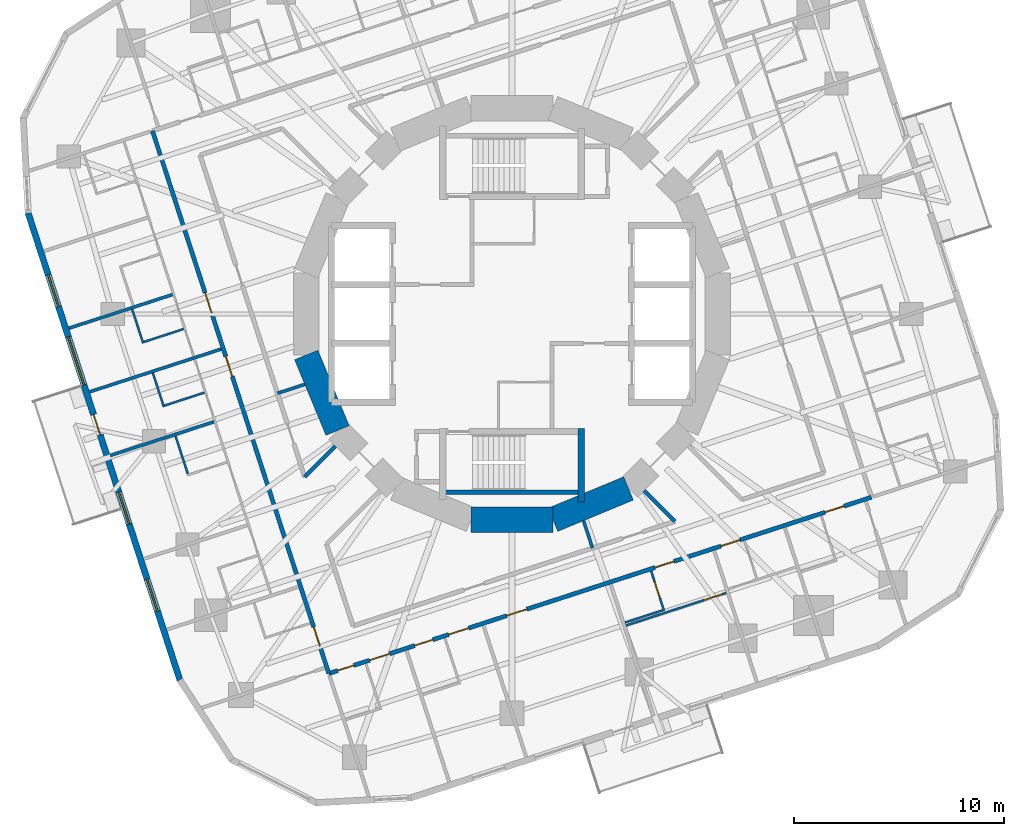
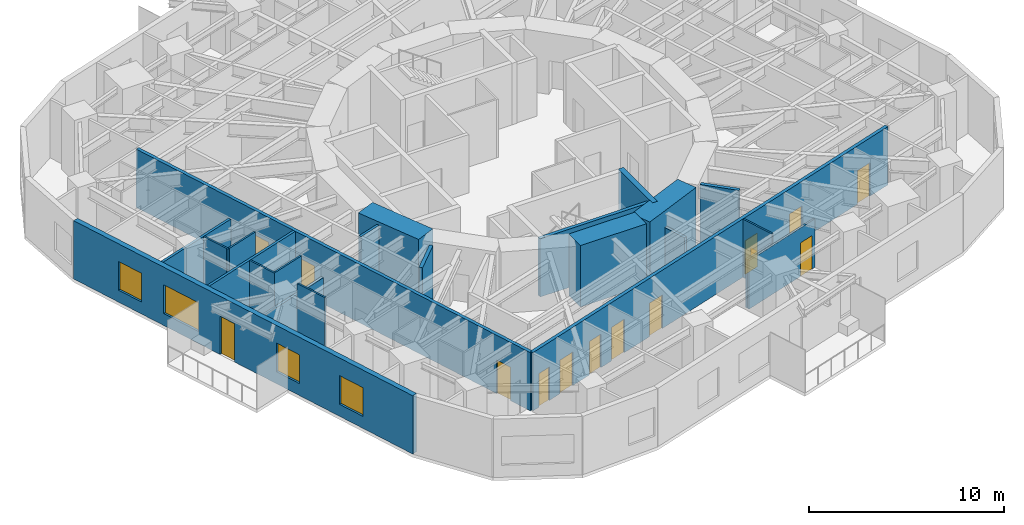
# One storey, part 5 of 13: 23 walls, 14 doors, 4 windows, 18 openings.
"""IFC4 building model written with IfcOpenShell, lengths in metres."""

import ifcopenshell
import ifcopenshell.guid

model = None  # the IFC model being written
_history = None  # IfcOwnerHistory: only IFC2X3 demands one
_inside = {}  # id of a spatial element -> (the spatial element, [elements in it])
_under = {}  # id of a project, library or spatial element -> (it, [spatial elements below it])
_declared = {}  # id of a project -> (the project, [libraries it declares])
_typed = {}  # id of a type object -> (the type object, [elements of that type])
_made_of = {}  # id of a material, layer set ... -> (it, [elements and type objects made of it])


def new_model(schema):
    """Start an empty IFC model of exactly this schema.

    Asked for "IFC4X3", IfcOpenShell would pick the latest addendum, in which some entities
    have other attributes; the version numbers below select the first issue.
    IFC2X3 requires an IfcOwnerHistory on every rooted entity: one is made here for all.
    """
    global model, _history
    if schema == "IFC4X3":
        model = ifcopenshell.file(schema_version=(4, 3, 0, 0))
    else:
        model = ifcopenshell.file(schema=schema)
    _inside.clear()
    _under.clear()
    _declared.clear()
    _typed.clear()
    _made_of.clear()
    _history = None
    if model.schema == "IFC2X3":
        org = make("IfcOrganization", Name="unknown")
        user = make(
            "IfcPersonAndOrganization",
            ThePerson=make("IfcPerson", FamilyName="unknown"),
            TheOrganization=org,
        )
        app = make(
            "IfcApplication",
            ApplicationDeveloper=org,
            Version="unknown",
            ApplicationFullName="unknown",
            ApplicationIdentifier="unknown",
        )
        _history = make(
            "IfcOwnerHistory",
            OwningUser=user,
            OwningApplication=app,
            ChangeAction="ADDED",
            CreationDate=0,
        )
    return model


def make(cls, **values):
    """One entity of the class cls with the attributes given. An attribute that is None is left unset."""
    return model.create_entity(
        cls, **{name: value for name, value in values.items() if value is not None}
    )


def rooted(cls, **values):
    """An entity with a GlobalId (a new one), such as an element, a storey or a relation."""
    return make(cls, GlobalId=ifcopenshell.guid.new(), OwnerHistory=_history, **values)


def si_unit(unit_type, name, prefix=None):
    """IfcSIUnit, for example si_unit("LENGTHUNIT", "METRE", prefix="MILLI")."""
    return make("IfcSIUnit", UnitType=unit_type, Prefix=prefix, Name=name)


def assignment(units):
    """IfcUnitAssignment: the units of a project."""
    return None if units is None else make("IfcUnitAssignment", Units=units)


def point(xyz):
    """IfcCartesianPoint."""
    return None if xyz is None else make("IfcCartesianPoint", Coordinates=xyz)


def direction(xyz):
    """IfcDirection."""
    return None if xyz is None else make("IfcDirection", DirectionRatios=xyz)


def frame(location, z_axis=None, x_axis=None):
    """IfcAxis2Placement3D, a coordinate frame: its origin and axes. An axis left out is left unset."""
    return make(
        "IfcAxis2Placement3D",
        Location=point(location),
        Axis=direction(z_axis),
        RefDirection=direction(x_axis),
    )


def frame_2d(location, x_axis=None):
    """IfcAxis2Placement2D, a coordinate frame in the plane: its origin and x axis."""
    return make(
        "IfcAxis2Placement2D", Location=point(location), RefDirection=direction(x_axis)
    )


def origin():
    """The frame at (0, 0, 0) with its axes left unset."""
    return frame((0.0, 0.0, 0.0))


def place(relative_to, where):
    """IfcLocalPlacement: puts the frame where relative to a parent placement (None: the world)."""
    return make(
        "IfcLocalPlacement", PlacementRelTo=relative_to, RelativePlacement=where
    )


def context(
    kind, dimensions, precision=None, world=None, true_north=None, identifier=None
):
    """IfcGeometricRepresentationContext, for example the 3D "Model" context."""
    return make(
        "IfcGeometricRepresentationContext",
        ContextIdentifier=identifier,
        ContextType=kind,
        CoordinateSpaceDimension=dimensions,
        Precision=precision,
        WorldCoordinateSystem=world,
        TrueNorth=true_north,
    )


def subcontext(parent, identifier, kind, view, scale=None):
    """IfcGeometricRepresentationSubContext, for example "Body" below "Model"."""
    return make(
        "IfcGeometricRepresentationSubContext",
        ContextIdentifier=identifier,
        ContextType=kind,
        ParentContext=parent,
        TargetScale=scale,
        TargetView=view,
    )


def project(units=None, contexts=None):
    """IfcProject with its units and contexts."""
    return rooted(
        "IfcProject",
        Name="project",
        RepresentationContexts=contexts,
        UnitsInContext=assignment(units),
    )


def spatial(cls, under=None, at=None, **own):
    """A site, building, storey or space (cls), placed at a placement, below another one or the project."""
    s = rooted(cls, ObjectPlacement=at, **own)
    if under is not None:
        _under.setdefault(under.id(), (under, []))[1].append(s)
    return s


def profile(cls, at=None, kind="AREA", **sizes):
    """A parametric profile (cls). Its sizes go by their IFC names, for example OverallWidth=200.0."""
    return make(cls, ProfileType=kind, Position=at, **sizes)


def rectangle(**sizes):
    """IfcRectangleProfileDef."""
    return profile("IfcRectangleProfileDef", **sizes)


def extrude(swept, where, along, depth):
    """IfcExtrudedAreaSolid: the profile swept, set in the frame where, extruded along a direction by depth."""
    return make(
        "IfcExtrudedAreaSolid",
        SweptArea=swept,
        Position=where,
        ExtrudedDirection=direction(along),
        Depth=depth,
    )


def shape(context_of_items, identifier, shape_type, items):
    """IfcShapeRepresentation: the items that make up one representation, for example the "Body"."""
    return make(
        "IfcShapeRepresentation",
        ContextOfItems=context_of_items,
        RepresentationIdentifier=identifier,
        RepresentationType=shape_type,
        Items=items,
    )


def material(Name=None, Category=None):
    """IfcMaterial."""
    return make("IfcMaterial", Name=Name, Category=Category)


def layer(
    of_material, thickness, ventilated=None, Name=None, Category=None, Priority=None
):
    """IfcMaterialLayer: one layer of a wall or slab, of a material (None: an air gap)."""
    return make(
        "IfcMaterialLayer",
        Material=of_material,
        LayerThickness=thickness,
        IsVentilated=ventilated,
        Name=Name,
        Category=Category,
        Priority=Priority,
    )


def layer_set(layers, Name=None):
    """IfcMaterialLayerSet."""
    return make("IfcMaterialLayerSet", MaterialLayers=layers, LayerSetName=Name)


def made_of(thing, what):
    """Note that an element or type object is made of a material, layer set ...; save() writes the relation."""
    if what is not None:
        _made_of.setdefault(what.id(), (what, []))[1].append(thing)
    return thing


def type_object(cls, material=None, **own):
    """A type object (cls), such as IfcWallType, which elements share."""
    return made_of(rooted(cls, **own), material)


def element(
    cls,
    number,
    at=None,
    inside=None,
    cuts=None,
    type_object=None,
    material=None,
    context=None,
    identifier="Body",
    shape_type=None,
    held_by="IfcProductDefinitionShape",
    body=None,
    shapes=None,
    **own,
):
    """One element of the class cls, such as IfcWall. Its Tag is "e" and its number.

    at: its placement. inside: the storey or other place that contains it. cuts: it is an
    opening in that element (IfcRelVoidsElement). A single representation is given by context,
    identifier, shape_type and body (its items); several are given by shapes. held_by: the class
    of the entity that holds the representations. save() writes the other relations.
    """
    e = rooted(cls, Tag="e%d" % number, ObjectPlacement=at, **own)
    if body is not None:
        shapes = [shape(context, identifier, shape_type, body)]
    if shapes is not None:
        e.Representation = make(held_by, Representations=shapes)
    if inside is not None:
        _inside.setdefault(inside.id(), (inside, []))[1].append(e)
    if cuts is not None:
        rooted(
            "IfcRelVoidsElement", RelatingBuildingElement=cuts, RelatedOpeningElement=e
        )
    if type_object is not None:
        _typed.setdefault(type_object.id(), (type_object, []))[1].append(e)
    return made_of(e, material)


def fill(opening, filler):
    """IfcRelFillsElement: the door or window that sits in an opening."""
    return rooted(
        "IfcRelFillsElement",
        RelatingOpeningElement=opening,
        RelatedBuildingElement=filler,
    )


def aggregate(whole, parts):
    """IfcRelAggregates: a whole, such as a stair, and the parts it consists of."""
    return rooted("IfcRelAggregates", RelatingObject=whole, RelatedObjects=parts)


def save(model, path):
    """Write the relations noted so far, then the file.

    IfcRelAggregates (storeys below a building ...), IfcRelContainedInSpatialStructure (elements
    in a storey), IfcRelDefinesByType, IfcRelAssociatesMaterial and IfcRelDeclares: one each for
    every whole, place, type object, material and project.
    """
    for whole, parts in _under.values():
        aggregate(whole, parts)
    for where, things in _inside.values():
        rooted(
            "IfcRelContainedInSpatialStructure",
            RelatedElements=things,
            RelatingStructure=where,
        )
    for kind, things in _typed.values():
        rooted("IfcRelDefinesByType", RelatedObjects=things, RelatingType=kind)
    for what, things in _made_of.values():
        rooted("IfcRelAssociatesMaterial", RelatedObjects=things, RelatingMaterial=what)
    for by, libraries in _declared.values():
        rooted("IfcRelDeclares", RelatingContext=by, RelatedDefinitions=libraries)
    model.write(path)


model = new_model("IFC4")

# Units and contexts
model_context = context("Model", 3, precision=1e-05, world=origin(), true_north=direction((0.0, 1.0)))
body_context = subcontext(model_context, "Body", "Model", "MODEL_VIEW")
ifc_project = project(units=[si_unit("LENGTHUNIT", "METRE"), si_unit("AREAUNIT", "SQUARE_METRE"), si_unit("VOLUMEUNIT", "CUBIC_METRE"), si_unit("PLANEANGLEUNIT", "RADIAN"), si_unit("MASSUNIT", "GRAM", prefix="KILO")], contexts=[model_context])

# Site, building, storey
site_placement = place(None, origin())
site = spatial("IfcSite", under=ifc_project, at=site_placement, CompositionType="ELEMENT")
building_placement = place(site_placement, origin())
building = spatial("IfcBuilding", under=site, at=building_placement, Name="Nakasero Lantern House", CompositionType="ELEMENT")
storey_placement = place(building_placement, frame((0.0, 0.0, 157.199951171875)))
storey = spatial("IfcBuildingStorey", under=building, at=storey_placement, Name="L38", CompositionType="ELEMENT", Elevation=157.199951171875)

# Walls
ifc_material_1 = material(Name="Concrete C50/60", Category="concrete")
ifc_layer_1 = layer(ifc_material_1, 0.300048828125)
ifc_layer_set_1 = layer_set([ifc_layer_1], Name="Core inner wall 300")
wall_type_1 = type_object("IfcWallType", Name="Core inner wall 300", PredefinedType="SHEAR", material=ifc_layer_set_1)
wall_1_placement = place(storey_placement, frame((3.300048828125, -5.449951171875, 0.0), z_axis=(0.0, 0.0, 1.0), x_axis=(0.0, -1.0, 0.0)))
element("IfcWall", 1, at=wall_1_placement, inside=storey, type_object=wall_type_1, Name="Core inner wall L38 SSE", PredefinedType="SHEAR", context=body_context, shape_type="SweptSolid", body=[
    extrude(rectangle(XDim=3.5, YDim=0.300048828125, at=frame_2d((1.75, 0.0))), origin(), (0.0, 0.0, 1.0), 3.85009765625),
])
ifc_material_2 = material(Name="Concrete C50/60", Category="concrete")
ifc_layer_2 = layer(ifc_material_2, 1.199951171875)
ifc_layer_set_2 = layer_set([ifc_layer_2], Name="Core wall 1200")
wall_type_2 = type_object("IfcWallType", Name="Core wall 1200", PredefinedType="SHEAR", material=ifc_layer_set_2)
for number, where, z_axis, x_axis, name in (
    (2, (-9.807861328125, -1.950927734375, 0.0), (0.0, 0.0, 1.0), (0.382690736062, -0.923876507187, 0.0), "Core wall L38 facet 9"),
    (3, (-1.950927734375, -9.807861328125, 0.0), (0.0, 0.0, 1.0), (1.0, 0.0, 0.0), "Core wall L38 facet 12"),
    (4, (1.950927734375, -9.807861328125, 0.0), (0.0, 0.0, 1.0), (0.923876507187, 0.382690736062, 0.0), "Core wall L38 facet 13"),
):
    element("IfcWall", number, at=place(storey_placement, frame(where, z_axis=z_axis, x_axis=x_axis)), inside=storey, type_object=wall_type_2, Name=name, PredefinedType="SHEAR", context=body_context, shape_type="SweptSolid", body=[
        extrude(rectangle(XDim=3.90185546875, YDim=1.199951171875, at=frame_2d((1.950927734375, 0.0))), origin(), (0.0, 0.0, 1.0), 3.85009765625),
    ])

# Wall, openings, doors
ifc_material_3 = material(Name="Blockwork", Category="masonry")
ifc_layer_3 = layer(ifc_material_3, 0.199951171875)
ifc_layer_set_3 = layer_set([ifc_layer_3], Name="Corridor wall 200")
wall_type_3 = type_object("IfcWallType", Name="Corridor wall 200", PredefinedType="PARTITIONING", material=ifc_layer_set_3)
wall_2_placement = place(storey_placement, frame((-17.136962890625, 8.731689453125, 0.0), z_axis=(0.0, 0.0, 1.0), x_axis=(0.309018283835, -0.951056097323, 0.0)))
wall_2 = element("IfcWall", 5, at=wall_2_placement, inside=storey, type_object=wall_type_3, Name="Corridor wall L38 CW2", PredefinedType="PARTITIONING", context=body_context, shape_type="SweptSolid", body=[
    extrude(rectangle(XDim=27.199951171875, YDim=0.199951171875, at=frame_2d((13.60009765625, 0.0))), origin(), (0.0, 0.0, 1.0), 3.650146484375),
])
opening_1_placement = place(wall_2_placement, frame((8.118896484375, 0.0, 0.0)))
opening_1 = element("IfcOpeningElement", 6, at=opening_1_placement, cuts=wall_2, Name="Opening D14", PredefinedType="OPENING", context=body_context, shape_type="SweptSolid", body=[
    extrude(rectangle(XDim=1.0, YDim=2.10009765625, at=frame_2d((0.5, 1.050048828125))), frame((0.0, 0.119873046875, 0.0), z_axis=(0.0, -1.0, 0.0), x_axis=(1.0, 0.0, 0.0)), (0.0, 0.0, 1.0), 0.239990234375),
])
opening_2_placement = place(wall_2_placement, frame((11.30810546875, 0.0, 0.0)))
opening_2 = element("IfcOpeningElement", 7, at=opening_2_placement, cuts=wall_2, Name="Opening D14", PredefinedType="OPENING", context=body_context, shape_type="SweptSolid", body=[
    extrude(rectangle(XDim=1.0, YDim=2.10009765625, at=frame_2d((0.5, 1.050048828125))), frame((0.0, 0.119873046875, 0.0), z_axis=(0.0, -1.0, 0.0), x_axis=(1.0, 0.0, 0.0)), (0.0, 0.0, 1.0), 0.239990234375),
])
opening_3_placement = place(wall_2_placement, frame((24.872314453125, 0.0, 0.0)))
opening_3 = element("IfcOpeningElement", 8, at=opening_3_placement, cuts=wall_2, Name="Opening D01", PredefinedType="OPENING", context=body_context, shape_type="SweptSolid", body=[
    extrude(rectangle(XDim=0.949951171875, YDim=2.10009765625, at=frame_2d((0.47509765625, 1.050048828125))), frame((0.0, 0.119873046875, 0.0), z_axis=(0.0, -1.0, 0.0), x_axis=(1.0, 0.0, 0.0)), (0.0, 0.0, 1.0), 0.239990234375),
])
ifc_material_4 = material(Name="Timber C24", Category="wood")
door_type_1 = type_object("IfcDoorType", Name="Bedroom door FD30S 950", OperationType="SINGLE_SWING_LEFT", PredefinedType="DOOR", material=ifc_material_4)
door_1_placement = place(opening_3_placement, origin())
door_1 = element("IfcDoor", 9, at=door_1_placement, inside=storey, type_object=door_type_1, Name="Door L38 D2-06", OperationType="SINGLE_SWING_RIGHT", OverallHeight=2.10009765625, OverallWidth=0.949951171875, PredefinedType="DOOR", context=body_context, shape_type="SweptSolid", body=[
    extrude(rectangle(XDim=0.949951171875, YDim=2.10009765625, at=frame_2d((0.47509765625, 1.050048828125))), frame((0.0, 0.02490234375, 0.0), z_axis=(0.0, -1.0, 0.0), x_axis=(1.0, 0.0, 0.0)), (0.0, 0.0, 1.0), 0.050048828125),
])
fill(opening_3, door_1)
ifc_material_5 = material(Name="Timber C24", Category="wood")
door_type_2 = type_object("IfcDoorType", Name="Cluster entrance door FD30S 1000", OperationType="SINGLE_SWING_LEFT", PredefinedType="DOOR", material=ifc_material_5)
door_2_placement = place(opening_1_placement, origin())
door_2 = element("IfcDoor", 10, at=door_2_placement, inside=storey, type_object=door_type_2, Name="Door L38 DF2-0", OperationType="SINGLE_SWING_LEFT", OverallHeight=2.10009765625, OverallWidth=1.0, PredefinedType="DOOR", context=body_context, shape_type="SweptSolid", body=[
    extrude(rectangle(XDim=1.0, YDim=2.10009765625, at=frame_2d((0.5, 1.050048828125))), frame((0.0, 0.02490234375, 0.0), z_axis=(0.0, -1.0, 0.0), x_axis=(1.0, 0.0, 0.0)), (0.0, 0.0, 1.0), 0.050048828125),
])
fill(opening_1, door_2)
door_3_placement = place(opening_2_placement, origin())
door_3 = element("IfcDoor", 11, at=door_3_placement, inside=storey, type_object=door_type_2, Name="Door L38 DF2-1", OperationType="SINGLE_SWING_LEFT", OverallHeight=2.10009765625, OverallWidth=1.0, PredefinedType="DOOR", context=body_context, shape_type="SweptSolid", body=[
    extrude(rectangle(XDim=1.0, YDim=2.10009765625, at=frame_2d((0.5, 1.050048828125))), frame((0.0, 0.02490234375, 0.0), z_axis=(0.0, -1.0, 0.0), x_axis=(1.0, 0.0, 0.0)), (0.0, 0.0, 1.0), 0.050048828125),
])
fill(opening_2, door_3)

wall_3_placement = place(storey_placement, frame((-8.731689453125, -17.136962890625, 0.0), z_axis=(0.0, 0.0, 1.0), x_axis=(0.951056097323, 0.309018283835, 0.0)))
wall_3 = element("IfcWall", 12, at=wall_3_placement, inside=storey, type_object=wall_type_3, Name="Corridor wall L38 CW3", PredefinedType="PARTITIONING", context=body_context, shape_type="SweptSolid", body=[
    extrude(rectangle(XDim=27.199951171875, YDim=0.199951171875, at=frame_2d((13.60009765625, 0.0))), origin(), (0.0, 0.0, 1.0), 3.650146484375),
])
opening_4_placement = place(wall_3_placement, frame((0.449951171875, 0.0, 0.0)))
opening_4 = element("IfcOpeningElement", 13, at=opening_4_placement, cuts=wall_3, Name="Opening D15", PredefinedType="OPENING", context=body_context, shape_type="SweptSolid", body=[
    extrude(rectangle(XDim=0.800048828125, YDim=2.10009765625, at=frame_2d((0.39990234375, 1.050048828125))), frame((0.0, 0.119873046875, 0.0), z_axis=(0.0, -1.0, 0.0), x_axis=(1.0, 0.0, 0.0)), (0.0, 0.0, 1.0), 0.239990234375),
])
opening_5_placement = place(wall_3_placement, frame((2.050048828125, 0.0, 0.0)))
opening_5 = element("IfcOpeningElement", 14, at=opening_5_placement, cuts=wall_3, Name="Opening D07", PredefinedType="OPENING", context=body_context, shape_type="SweptSolid", body=[
    extrude(rectangle(XDim=1.0, YDim=2.10009765625, at=frame_2d((0.5, 1.050048828125))), frame((0.0, 0.119873046875, 0.0), z_axis=(0.0, -1.0, 0.0), x_axis=(1.0, 0.0, 0.0)), (0.0, 0.0, 1.0), 0.239990234375),
])
opening_6_placement = place(wall_3_placement, frame((4.3095703125, 0.0, 0.0)))
opening_6 = element("IfcOpeningElement", 15, at=opening_6_placement, cuts=wall_3, Name="Opening D16", PredefinedType="OPENING", context=body_context, shape_type="SweptSolid", body=[
    extrude(rectangle(XDim=0.89990234375, YDim=2.10009765625, at=frame_2d((0.449951171875, 1.050048828125))), frame((0.0, 0.119873046875, 0.0), z_axis=(0.0, -1.0, 0.0), x_axis=(1.0, 0.0, 0.0)), (0.0, 0.0, 1.0), 0.239990234375),
])
opening_7_placement = place(wall_3_placement, frame((6.009521484375, 0.0, 0.0)))
opening_7 = element("IfcOpeningElement", 16, at=opening_7_placement, cuts=wall_3, Name="Opening D07", PredefinedType="OPENING", context=body_context, shape_type="SweptSolid", body=[
    extrude(rectangle(XDim=1.0, YDim=2.10009765625, at=frame_2d((0.5, 1.050048828125))), frame((0.0, 0.119873046875, 0.0), z_axis=(0.0, -1.0, 0.0), x_axis=(1.0, 0.0, 0.0)), (0.0, 0.0, 1.0), 0.239990234375),
])
opening_8_placement = place(wall_3_placement, frame((16.34716796875, 0.0, 0.0)))
opening_8 = element("IfcOpeningElement", 17, at=opening_8_placement, cuts=wall_3, Name="Opening D01", PredefinedType="OPENING", context=body_context, shape_type="SweptSolid", body=[
    extrude(rectangle(XDim=0.949951171875, YDim=2.10009765625, at=frame_2d((0.47509765625, 1.050048828125))), frame((0.0, 0.119873046875, 0.0), z_axis=(0.0, -1.0, 0.0), x_axis=(1.0, 0.0, 0.0)), (0.0, 0.0, 1.0), 0.239990234375),
])
opening_9_placement = place(wall_3_placement, frame((19.653076171875, 0.0, 0.0)))
opening_9 = element("IfcOpeningElement", 18, at=opening_9_placement, cuts=wall_3, Name="Opening D01", PredefinedType="OPENING", context=body_context, shape_type="SweptSolid", body=[
    extrude(rectangle(XDim=0.949951171875, YDim=2.10009765625, at=frame_2d((0.47509765625, 1.050048828125))), frame((0.0, 0.119873046875, 0.0), z_axis=(0.0, -1.0, 0.0), x_axis=(1.0, 0.0, 0.0)), (0.0, 0.0, 1.0), 0.239990234375),
])
opening_10_placement = place(wall_3_placement, frame((24.872314453125, 0.0, 0.0)))
opening_10 = element("IfcOpeningElement", 19, at=opening_10_placement, cuts=wall_3, Name="Opening D01", PredefinedType="OPENING", context=body_context, shape_type="SweptSolid", body=[
    extrude(rectangle(XDim=0.949951171875, YDim=2.10009765625, at=frame_2d((0.47509765625, 1.050048828125))), frame((0.0, 0.119873046875, 0.0), z_axis=(0.0, -1.0, 0.0), x_axis=(1.0, 0.0, 0.0)), (0.0, 0.0, 1.0), 0.239990234375),
])
opening_11_placement = place(wall_3_placement, frame((8.9189453125, 0.0, 0.0)))
opening_11 = element("IfcOpeningElement", 20, at=opening_11_placement, cuts=wall_3, Name="Opening D03", PredefinedType="OPENING", context=body_context, shape_type="SweptSolid", body=[
    extrude(rectangle(XDim=1.0, YDim=2.10009765625, at=frame_2d((0.5, 1.050048828125))), frame((0.0, 0.119873046875, 0.0), z_axis=(0.0, -1.0, 0.0), x_axis=(1.0, 0.0, 0.0)), (0.0, 0.0, 1.0), 0.239990234375),
])
ifc_material_6 = material(Name="Timber C24", Category="wood")
door_type_3 = type_object("IfcDoorType", Name="Accessible WC door 900", OperationType="SINGLE_SWING_RIGHT", PredefinedType="DOOR", material=ifc_material_6)
door_4_placement = place(opening_6_placement, origin())
door_4 = element("IfcDoor", 21, at=door_4_placement, inside=storey, type_object=door_type_3, Name="Door L38 DS3-01", OperationType="SINGLE_SWING_LEFT", OverallHeight=2.10009765625, OverallWidth=0.89990234375, PredefinedType="DOOR", context=body_context, shape_type="SweptSolid", body=[
    extrude(rectangle(XDim=0.89990234375, YDim=2.10009765625, at=frame_2d((0.449951171875, 1.050048828125))), frame((0.0, 0.02490234375, 0.0), z_axis=(0.0, -1.0, 0.0), x_axis=(1.0, 0.0, 0.0)), (0.0, 0.0, 1.0), 0.050048828125),
])
fill(opening_6, door_4)
door_5_placement = place(opening_8_placement, origin())
door_5 = element("IfcDoor", 22, at=door_5_placement, inside=storey, type_object=door_type_1, Name="Door L38 D3-04", OperationType="SINGLE_SWING_RIGHT", OverallHeight=2.10009765625, OverallWidth=0.949951171875, PredefinedType="DOOR", context=body_context, shape_type="SweptSolid", body=[
    extrude(rectangle(XDim=0.949951171875, YDim=2.10009765625, at=frame_2d((0.47509765625, 1.050048828125))), frame((0.0, 0.02490234375, 0.0), z_axis=(0.0, -1.0, 0.0), x_axis=(1.0, 0.0, 0.0)), (0.0, 0.0, 1.0), 0.050048828125),
])
fill(opening_8, door_5)
door_6_placement = place(opening_9_placement, origin())
door_6 = element("IfcDoor", 23, at=door_6_placement, inside=storey, type_object=door_type_1, Name="Door L38 D3-05", OperationType="SINGLE_SWING_RIGHT", OverallHeight=2.10009765625, OverallWidth=0.949951171875, PredefinedType="DOOR", context=body_context, shape_type="SweptSolid", body=[
    extrude(rectangle(XDim=0.949951171875, YDim=2.10009765625, at=frame_2d((0.47509765625, 1.050048828125))), frame((0.0, 0.02490234375, 0.0), z_axis=(0.0, -1.0, 0.0), x_axis=(1.0, 0.0, 0.0)), (0.0, 0.0, 1.0), 0.050048828125),
])
fill(opening_9, door_6)
door_7_placement = place(opening_10_placement, origin())
door_7 = element("IfcDoor", 24, at=door_7_placement, inside=storey, type_object=door_type_1, Name="Door L38 D3-06", OperationType="SINGLE_SWING_RIGHT", OverallHeight=2.10009765625, OverallWidth=0.949951171875, PredefinedType="DOOR", context=body_context, shape_type="SweptSolid", body=[
    extrude(rectangle(XDim=0.949951171875, YDim=2.10009765625, at=frame_2d((0.47509765625, 1.050048828125))), frame((0.0, 0.02490234375, 0.0), z_axis=(0.0, -1.0, 0.0), x_axis=(1.0, 0.0, 0.0)), (0.0, 0.0, 1.0), 0.050048828125),
])
fill(opening_10, door_7)
ifc_material_7 = material(Name="Timber C24", Category="wood")
door_type_4 = type_object("IfcDoorType", Name="Cleaner's store door FD30S 800", OperationType="SINGLE_SWING_LEFT", PredefinedType="DOOR", material=ifc_material_7)
door_8_placement = place(opening_4_placement, origin())
door_8 = element("IfcDoor", 25, at=door_8_placement, inside=storey, type_object=door_type_4, Name="Door L38 DS3-00", OperationType="SINGLE_SWING_LEFT", OverallHeight=2.10009765625, OverallWidth=0.800048828125, PredefinedType="DOOR", context=body_context, shape_type="SweptSolid", body=[
    extrude(rectangle(XDim=0.800048828125, YDim=2.10009765625, at=frame_2d((0.39990234375, 1.050048828125))), frame((0.0, 0.02490234375, 0.0), z_axis=(0.0, -1.0, 0.0), x_axis=(1.0, 0.0, 0.0)), (0.0, 0.0, 1.0), 0.050048828125),
])
fill(opening_4, door_8)
ifc_material_8 = material(Name="Timber C24", Category="wood")
door_type_5 = type_object("IfcDoorType", Name="Lounge door FD30S 1000", OperationType="SINGLE_SWING_LEFT", PredefinedType="DOOR", material=ifc_material_8)
door_9_placement = place(opening_11_placement, origin())
door_9 = element("IfcDoor", 26, at=door_9_placement, inside=storey, type_object=door_type_5, Name="Door L38 DK3", OperationType="SINGLE_SWING_LEFT", OverallHeight=2.10009765625, OverallWidth=1.0, PredefinedType="DOOR", context=body_context, shape_type="SweptSolid", body=[
    extrude(rectangle(XDim=1.0, YDim=2.10009765625, at=frame_2d((0.5, 1.050048828125))), frame((0.0, 0.02490234375, 0.0), z_axis=(0.0, -1.0, 0.0), x_axis=(1.0, 0.0, 0.0)), (0.0, 0.0, 1.0), 0.050048828125),
])
fill(opening_11, door_9)
ifc_material_9 = material(Name="Timber C24", Category="wood")
door_type_6 = type_object("IfcDoorType", Name="Room door FD30S 1000", OperationType="SINGLE_SWING_LEFT", PredefinedType="DOOR", material=ifc_material_9)
door_10_placement = place(opening_5_placement, origin())
door_10 = element("IfcDoor", 27, at=door_10_placement, inside=storey, type_object=door_type_6, Name="Door L38 D3-00", OperationType="SINGLE_SWING_LEFT", OverallHeight=2.10009765625, OverallWidth=1.0, PredefinedType="DOOR", context=body_context, shape_type="SweptSolid", body=[
    extrude(rectangle(XDim=1.0, YDim=2.10009765625, at=frame_2d((0.5, 1.050048828125))), frame((0.0, 0.02490234375, 0.0), z_axis=(0.0, -1.0, 0.0), x_axis=(1.0, 0.0, 0.0)), (0.0, 0.0, 1.0), 0.050048828125),
])
fill(opening_5, door_10)
door_11_placement = place(opening_7_placement, origin())
door_11 = element("IfcDoor", 28, at=door_11_placement, inside=storey, type_object=door_type_6, Name="Door L38 D3-01", OperationType="SINGLE_SWING_LEFT", OverallHeight=2.10009765625, OverallWidth=1.0, PredefinedType="DOOR", context=body_context, shape_type="SweptSolid", body=[
    extrude(rectangle(XDim=1.0, YDim=2.10009765625, at=frame_2d((0.5, 1.050048828125))), frame((0.0, 0.02490234375, 0.0), z_axis=(0.0, -1.0, 0.0), x_axis=(1.0, 0.0, 0.0)), (0.0, 0.0, 1.0), 0.050048828125),
])
fill(opening_7, door_11)

# Walls
for number, where, z_axis, x_axis, name in (
    (29, (-8.420166015625, -6.298828125, 0.0), (0.0, 0.0, 1.0), (-0.707106781187, -0.707106781187, 0.0), "Corridor wall L38 PS10b"),
    (30, (6.298828125, -8.420166015625, 0.0), (0.0, 0.0, 1.0), (0.707106781187, -0.707106781187, 0.0), "Corridor wall L38 PS14b"),
):
    element("IfcWall", number, at=place(storey_placement, frame(where, z_axis=z_axis, x_axis=x_axis)), inside=storey, type_object=wall_type_3, Name=name, PredefinedType="PARTITIONING", context=body_context, shape_type="SweptSolid", body=[
        extrude(rectangle(XDim=2.0712890625, YDim=0.199951171875, at=frame_2d((1.03564453125, 0.0))), origin(), (0.0, 0.0, 1.0), 3.650146484375),
    ])
ifc_material_10 = material(Name="Blockwork", Category="masonry")
ifc_layer_4 = layer(ifc_material_10, 0.10009765625)
ifc_layer_set_4 = layer_set([ifc_layer_4], Name="En-suite wall 100")
wall_type_4 = type_object("IfcWallType", Name="En-suite wall 100", PredefinedType="PARTITIONING", material=ifc_layer_set_4)
wall_4_placement = place(storey_placement, frame((-15.645263671875, -0.713623046875, 0.0), z_axis=(0.0, 0.0, 1.0), x_axis=(-0.951062257173, -0.308999325213, 0.0)))
element("IfcWall", 31, at=wall_4_placement, inside=storey, type_object=wall_type_4, Name="En-suite wall L38 SS2-0", PredefinedType="PARTITIONING", context=body_context, shape_type="SweptSolid", body=[
    extrude(rectangle(XDim=2.10009765625, YDim=0.10009765625, at=frame_2d((1.050048828125, 0.0))), origin(), (0.0, 0.0, 1.0), 3.650146484375),
])
wall_5_placement = place(storey_placement, frame((-18.104736328125, 0.22216796875, 0.0), z_axis=(0.0, 0.0, 1.0), x_axis=(0.309066587596, -0.951040401051, 0.0)))
element("IfcWall", 32, at=wall_5_placement, inside=storey, type_object=wall_type_4, Name="En-suite wall L38 SE2-0", PredefinedType="PARTITIONING", context=body_context, shape_type="SweptSolid", body=[
    extrude(rectangle(XDim=1.699951171875, YDim=0.10009765625, at=frame_2d((0.85009765625, 0.0))), origin(), (0.0, 0.0, 1.0), 3.650146484375),
])
wall_6_placement = place(storey_placement, frame((-14.65966796875, -3.74658203125, 0.0), z_axis=(0.0, 0.0, 1.0), x_axis=(-0.951062257173, -0.308999325213, 0.0)))
element("IfcWall", 33, at=wall_6_placement, inside=storey, type_object=wall_type_4, Name="En-suite wall L38 SS2-1", PredefinedType="PARTITIONING", context=body_context, shape_type="SweptSolid", body=[
    extrude(rectangle(XDim=2.10009765625, YDim=0.10009765625, at=frame_2d((1.050048828125, 0.0))), origin(), (0.0, 0.0, 1.0), 3.650146484375),
])
wall_7_placement = place(storey_placement, frame((-17.119384765625, -2.810791015625, 0.0), z_axis=(0.0, 0.0, 1.0), x_axis=(0.309066587596, -0.951040401051, 0.0)))
element("IfcWall", 34, at=wall_7_placement, inside=storey, type_object=wall_type_4, Name="En-suite wall L38 SE2-1", PredefinedType="PARTITIONING", context=body_context, shape_type="SweptSolid", body=[
    extrude(rectangle(XDim=1.699951171875, YDim=0.10009765625, at=frame_2d((0.85009765625, 0.0))), origin(), (0.0, 0.0, 1.0), 3.650146484375),
])
wall_8_placement = place(storey_placement, frame((-16.038818359375, -5.812744140625, 0.0), z_axis=(0.0, 0.0, 1.0), x_axis=(0.309010533671, -0.951058615481, 0.0)))
element("IfcWall", 35, at=wall_8_placement, inside=storey, type_object=wall_type_4, Name="En-suite wall L38 EE2-04", PredefinedType="PARTITIONING", context=body_context, shape_type="SweptSolid", body=[
    extrude(rectangle(XDim=1.900146484375, YDim=0.10009765625, at=frame_2d((0.9501953125, 0.0))), origin(), (0.0, 0.0, 1.0), 3.650146484375),
])

# Wall, opening, door
wall_9_placement = place(storey_placement, frame((6.632080078125, -12.25, 0.0), z_axis=(0.0, 0.0, 1.0), x_axis=(0.309077791808, -0.951036759863, 0.0)))
wall_9 = element("IfcWall", 36, at=wall_9_placement, inside=storey, type_object=wall_type_4, Name="En-suite wall L38 ES3-04", PredefinedType="PARTITIONING", context=body_context, shape_type="SweptSolid", body=[
    extrude(rectangle(XDim=2.0, YDim=0.10009765625, at=frame_2d((1.0, 0.0))), origin(), (0.0, 0.0, 1.0), 3.650146484375),
])
opening_12_placement = place(wall_9_placement, frame((0.550048828125, 0.0, 0.0)))
opening_12 = element("IfcOpeningElement", 37, at=opening_12_placement, cuts=wall_9, Name="Opening D02", PredefinedType="OPENING", context=body_context, shape_type="SweptSolid", body=[
    extrude(rectangle(XDim=0.800048828125, YDim=2.10009765625, at=frame_2d((0.39990234375, 1.050048828125))), frame((0.0, 0.070068359375, 0.0), z_axis=(0.0, -1.0, 0.0), x_axis=(1.0, 0.0, 0.0)), (0.0, 0.0, 1.0), 0.14013671875),
])
ifc_material_11 = material(Name="Timber C24", Category="wood")
door_type_7 = type_object("IfcDoorType", Name="En-suite door 800", OperationType="SINGLE_SWING_RIGHT", PredefinedType="DOOR", material=ifc_material_11)
door_12_placement = place(opening_12_placement, origin())
door_12 = element("IfcDoor", 38, at=door_12_placement, inside=storey, type_object=door_type_7, Name="Door L38 DE3-04", OperationType="SINGLE_SWING_LEFT", OverallHeight=2.10009765625, OverallWidth=0.800048828125, PredefinedType="DOOR", context=body_context, shape_type="SweptSolid", body=[
    extrude(rectangle(XDim=0.800048828125, YDim=2.10009765625, at=frame_2d((0.39990234375, 1.050048828125))), frame((0.0, 0.02490234375, 0.0), z_axis=(0.0, -1.0, 0.0), x_axis=(1.0, 0.0, 0.0)), (0.0, 0.0, 1.0), 0.050048828125),
])
fill(opening_12, door_12)

# Wall
wall_10_placement = place(storey_placement, frame((5.380126953125, -14.707275390625, 0.0), z_axis=(0.0, 0.0, 1.0), x_axis=(0.951058615481, 0.309010533671, 0.0)))
element("IfcWall", 39, at=wall_10_placement, inside=storey, type_object=wall_type_4, Name="En-suite wall L38 EE3-04", PredefinedType="PARTITIONING", context=body_context, shape_type="SweptSolid", body=[
    extrude(rectangle(XDim=1.900146484375, YDim=0.10009765625, at=frame_2d((0.9501953125, 0.0))), origin(), (0.0, 0.0, 1.0), 3.037841796875),
])

# Wall, opening, door
wall_11_placement = place(storey_placement, frame((5.426513671875, -14.849853515625, 0.0), z_axis=(0.0, 0.0, 1.0), x_axis=(0.951057958488, 0.309012555725, 0.0)))
wall_11 = element("IfcWall", 40, at=wall_11_placement, inside=storey, type_object=wall_type_4, Name="En-suite wall L38 EL3-04", PredefinedType="PARTITIONING", context=body_context, shape_type="SweptSolid", body=[
    extrude(rectangle(XDim=5.03125, YDim=0.10009765625, at=frame_2d((2.515625, 0.0))), origin(), (0.0, 0.0, 1.0), 3.037841796875),
])
opening_13_placement = place(wall_11_placement, frame((3.93115234375, 0.0, 0.0)))
opening_13 = element("IfcOpeningElement", 41, at=opening_13_placement, cuts=wall_11, Name="Opening D17", PredefinedType="OPENING", context=body_context, shape_type="SweptSolid", body=[
    extrude(rectangle(XDim=0.89990234375, YDim=2.10009765625, at=frame_2d((0.449951171875, 1.050048828125))), frame((0.0, 0.070068359375, 0.0), z_axis=(0.0, -1.0, 0.0), x_axis=(1.0, 0.0, 0.0)), (0.0, 0.0, 1.0), 0.14013671875),
])
ifc_material_12 = material(Name="Timber C24", Category="wood")
door_type_8 = type_object("IfcDoorType", Name="Bedroom door FD30S 900", OperationType="SINGLE_SWING_LEFT", PredefinedType="DOOR", material=ifc_material_12)
door_13_placement = place(opening_13_placement, origin())
door_13 = element("IfcDoor", 42, at=door_13_placement, inside=storey, type_object=door_type_8, Name="Door L38 DL3-04", OperationType="SINGLE_SWING_RIGHT", OverallHeight=2.10009765625, OverallWidth=0.89990234375, PredefinedType="DOOR", context=body_context, shape_type="SweptSolid", body=[
    extrude(rectangle(XDim=0.89990234375, YDim=2.10009765625, at=frame_2d((0.449951171875, 1.050048828125))), frame((0.0, 0.02490234375, 0.0), z_axis=(0.0, -1.0, 0.0), x_axis=(1.0, 0.0, 0.0)), (0.0, 0.0, 1.0), 0.050048828125),
])
fill(opening_13, door_13)

# Wall, openings, door, windows
ifc_material_13 = material(Name="Aluminium rainscreen on blockwork", Category="masonry")
ifc_layer_5 = layer(ifc_material_13, 0.300048828125)
ifc_layer_set_5 = layer_set([ifc_layer_5], Name="Facade wall 300")
wall_type_5 = type_object("IfcWallType", Name="Facade wall 300", PredefinedType="SOLIDWALL", material=ifc_layer_set_5)
wall_12_placement = place(storey_placement, frame((-23.064697265625, 4.807861328125, 0.0), z_axis=(0.0, 0.0, 1.0), x_axis=(0.30902591324, -0.951053618334, 0.0)))
wall_12 = element("IfcWall", 43, at=wall_12_placement, inside=storey, type_object=wall_type_5, Name="Facade wall L38 FW2S", PredefinedType="SOLIDWALL", context=body_context, shape_type="SweptSolid", body=[
    extrude(rectangle(XDim=23.39990234375, YDim=0.300048828125, at=frame_2d((11.699951171875, 0.0))), origin(), (0.0, 0.0, 1.0), 3.650146484375),
])
opening_14_placement = place(wall_12_placement, frame((3.089111328125, 0.0, 0.75)))
opening_14 = element("IfcOpeningElement", 44, at=opening_14_placement, cuts=wall_12, Name="Opening W01", PredefinedType="OPENING", context=body_context, shape_type="SweptSolid", body=[
    extrude(rectangle(XDim=1.60009765625, YDim=1.800048828125, at=frame_2d((0.800048828125, 0.89990234375))), frame((0.0, 0.169921875, 0.0), z_axis=(0.0, -1.0, 0.0), x_axis=(1.0, 0.0, 0.0)), (0.0, 0.0, 1.0), 0.340087890625),
])
opening_15_placement = place(wall_12_placement, frame((13.987548828125, 0.0, 0.75)))
opening_15 = element("IfcOpeningElement", 45, at=opening_15_placement, cuts=wall_12, Name="Opening W01", PredefinedType="OPENING", context=body_context, shape_type="SweptSolid", body=[
    extrude(rectangle(XDim=1.60009765625, YDim=1.800048828125, at=frame_2d((0.800048828125, 0.89990234375))), frame((0.0, 0.169921875, 0.0), z_axis=(0.0, -1.0, 0.0), x_axis=(1.0, 0.0, 0.0)), (0.0, 0.0, 1.0), 0.340087890625),
])
opening_16_placement = place(wall_12_placement, frame((18.350341796875, 0.0, 0.75)))
opening_16 = element("IfcOpeningElement", 46, at=opening_16_placement, cuts=wall_12, Name="Opening W01", PredefinedType="OPENING", context=body_context, shape_type="SweptSolid", body=[
    extrude(rectangle(XDim=1.60009765625, YDim=1.800048828125, at=frame_2d((0.800048828125, 0.89990234375))), frame((0.0, 0.169921875, 0.0), z_axis=(0.0, -1.0, 0.0), x_axis=(1.0, 0.0, 0.0)), (0.0, 0.0, 1.0), 0.340087890625),
])
opening_17_placement = place(wall_12_placement, frame((6.21337890625, 0.0, 0.75)))
opening_17 = element("IfcOpeningElement", 47, at=opening_17_placement, cuts=wall_12, Name="Opening W03", PredefinedType="OPENING", context=body_context, shape_type="SweptSolid", body=[
    extrude(rectangle(XDim=2.39990234375, YDim=1.800048828125, at=frame_2d((1.199951171875, 0.89990234375))), frame((0.0, 0.169921875, 0.0), z_axis=(0.0, -1.0, 0.0), x_axis=(1.0, 0.0, 0.0)), (0.0, 0.0, 1.0), 0.340087890625),
])
opening_18_placement = place(wall_12_placement, frame((10.1025390625, 0.0, 0.0)))
opening_18 = element("IfcOpeningElement", 48, at=opening_18_placement, cuts=wall_12, Name="Opening D04", PredefinedType="OPENING", context=body_context, shape_type="SweptSolid", body=[
    extrude(rectangle(XDim=1.0, YDim=2.39990234375, at=frame_2d((0.5, 1.199951171875))), frame((0.0, 0.169921875, 0.0), z_axis=(0.0, -1.0, 0.0), x_axis=(1.0, 0.0, 0.0)), (0.0, 0.0, 1.0), 0.340087890625),
])
ifc_material_14 = material(Name="Aluminium 6063-T6 and glass", Category="aluminium")
door_type_9 = type_object("IfcDoorType", Name="Balcony door 1000x2400", OperationType="SINGLE_SWING_RIGHT", PredefinedType="DOOR", material=ifc_material_14)
door_14_placement = place(opening_18_placement, origin())
door_14 = element("IfcDoor", 49, at=door_14_placement, inside=storey, type_object=door_type_9, Name="Balcony door L38 DB2", OperationType="SINGLE_SWING_RIGHT", OverallHeight=2.39990234375, OverallWidth=1.0, PredefinedType="DOOR", context=body_context, shape_type="SweptSolid", body=[
    extrude(rectangle(XDim=1.0, YDim=2.39990234375, at=frame_2d((0.5, 1.199951171875))), frame((0.0, 0.02490234375, 0.0), z_axis=(0.0, -1.0, 0.0), x_axis=(1.0, 0.0, 0.0)), (0.0, 0.0, 1.0), 0.050048828125),
])
fill(opening_18, door_14)
ifc_material_15 = material(Name="Aluminium 6063-T6 and glass", Category="aluminium")
window_type_1 = type_object("IfcWindowType", Name="Bedroom window 1600x1800", PartitioningType="SINGLE_PANEL", PredefinedType="WINDOW", material=ifc_material_15)
window_1_placement = place(opening_14_placement, origin())
window_1 = element("IfcWindow", 50, at=window_1_placement, inside=storey, type_object=window_type_1, Name="Window L38 WN2-01", OverallHeight=1.800048828125, OverallWidth=1.60009765625, PartitioningType="SINGLE_PANEL", PredefinedType="WINDOW", context=body_context, shape_type="SweptSolid", body=[
    extrude(rectangle(XDim=1.60009765625, YDim=1.800048828125, at=frame_2d((0.800048828125, 0.89990234375))), frame((0.0, 0.030029296875, 0.0), z_axis=(0.0, -1.0, 0.0), x_axis=(1.0, 0.0, 0.0)), (0.0, 0.0, 1.0), 0.06005859375),
])
fill(opening_14, window_1)
window_2_placement = place(opening_15_placement, origin())
window_2 = element("IfcWindow", 51, at=window_2_placement, inside=storey, type_object=window_type_1, Name="Window L38 WN2-04", OverallHeight=1.800048828125, OverallWidth=1.60009765625, PartitioningType="SINGLE_PANEL", PredefinedType="WINDOW", context=body_context, shape_type="SweptSolid", body=[
    extrude(rectangle(XDim=1.60009765625, YDim=1.800048828125, at=frame_2d((0.800048828125, 0.89990234375))), frame((0.0, 0.030029296875, 0.0), z_axis=(0.0, -1.0, 0.0), x_axis=(1.0, 0.0, 0.0)), (0.0, 0.0, 1.0), 0.06005859375),
])
fill(opening_15, window_2)
window_3_placement = place(opening_16_placement, origin())
window_3 = element("IfcWindow", 52, at=window_3_placement, inside=storey, type_object=window_type_1, Name="Window L38 WN2-05", OverallHeight=1.800048828125, OverallWidth=1.60009765625, PartitioningType="SINGLE_PANEL", PredefinedType="WINDOW", context=body_context, shape_type="SweptSolid", body=[
    extrude(rectangle(XDim=1.60009765625, YDim=1.800048828125, at=frame_2d((0.800048828125, 0.89990234375))), frame((0.0, 0.030029296875, 0.0), z_axis=(0.0, -1.0, 0.0), x_axis=(1.0, 0.0, 0.0)), (0.0, 0.0, 1.0), 0.06005859375),
])
fill(opening_16, window_3)
ifc_material_16 = material(Name="Aluminium 6063-T6 and glass", Category="aluminium")
window_type_2 = type_object("IfcWindowType", Name="Lounge window 2400x1800", PartitioningType="SINGLE_PANEL", PredefinedType="WINDOW", material=ifc_material_16)
window_4_placement = place(opening_17_placement, origin())
window_4 = element("IfcWindow", 53, at=window_4_placement, inside=storey, type_object=window_type_2, Name="Window L38 WK2", OverallHeight=1.800048828125, OverallWidth=2.39990234375, PartitioningType="SINGLE_PANEL", PredefinedType="WINDOW", context=body_context, shape_type="SweptSolid", body=[
    extrude(rectangle(XDim=2.39990234375, YDim=1.800048828125, at=frame_2d((1.199951171875, 0.89990234375))), frame((0.0, 0.030029296875, 0.0), z_axis=(0.0, -1.0, 0.0), x_axis=(1.0, 0.0, 0.0)), (0.0, 0.0, 1.0), 0.06005859375),
])
fill(opening_17, window_4)

# Walls
ifc_material_17 = material(Name="Blockwork", Category="masonry")
ifc_layer_6 = layer(ifc_material_17, 0.199951171875)
ifc_layer_set_6 = layer_set([ifc_layer_6], Name="Fire lobby wall 200")
wall_type_6 = type_object("IfcWallType", Name="Fire lobby wall 200", PredefinedType="PARTITIONING", material=ifc_layer_set_6)
wall_13_placement = place(storey_placement, frame((-3.300048828125, -8.5, 0.0), z_axis=(0.0, 0.0, 1.0), x_axis=(1.0, 0.0, 0.0)))
element("IfcWall", 54, at=wall_13_placement, inside=storey, type_object=wall_type_6, Name="Fire lobby wall L38 W-STS", PredefinedType="PARTITIONING", context=body_context, shape_type="SweptSolid", body=[
    extrude(rectangle(XDim=6.60009765625, YDim=0.199951171875, at=frame_2d((3.300048828125, 0.0))), origin(), (0.0, 0.0, 1.0), 3.650146484375),
])
ifc_material_18 = material(Name="Blockwork", Category="masonry")
ifc_layer_7 = layer(ifc_material_18, 0.14990234375)
ifc_layer_set_7 = layer_set([ifc_layer_7], Name="Party wall 150")
wall_type_7 = type_object("IfcWallType", Name="Party wall 150", PredefinedType="PARTITIONING", material=ifc_layer_set_7)
wall_14_placement = place(storey_placement, frame((-16.17822265625, 0.927001953125, 0.0), z_axis=(0.0, 0.0, 1.0), x_axis=(-0.951055112834, -0.309021313752, 0.0)))
element("IfcWall", 55, at=wall_14_placement, inside=storey, type_object=wall_type_7, Name="Party wall L38 PW2-02", PredefinedType="PARTITIONING", context=body_context, shape_type="SweptSolid", body=[
    extrude(rectangle(XDim=5.2001953125, YDim=0.14990234375, at=frame_2d((2.60009765625, 0.0))), origin(), (0.0, 0.0, 1.0), 3.650146484375),
])
wall_15_placement = place(storey_placement, frame((-13.861328125, -1.67333984375, 0.0), z_axis=(0.0, 0.0, 1.0), x_axis=(-0.951056628375, -0.309016649428, 0.0)))
element("IfcWall", 56, at=wall_15_placement, inside=storey, type_object=wall_type_7, Name="Party wall L38 PW2-03", PredefinedType="PARTITIONING", context=body_context, shape_type="SweptSolid", body=[
    extrude(rectangle(XDim=6.60009765625, YDim=0.14990234375, at=frame_2d((3.300048828125, 0.0))), origin(), (0.0, 0.0, 1.0), 3.650146484375),
])
wall_16_placement = place(storey_placement, frame((-14.207275390625, -5.138916015625, 0.0), z_axis=(0.0, 0.0, 1.0), x_axis=(-0.951055112834, -0.309021313752, 0.0)))
element("IfcWall", 57, at=wall_16_placement, inside=storey, type_object=wall_type_7, Name="Party wall L38 PW2-04", PredefinedType="PARTITIONING", context=body_context, shape_type="SweptSolid", body=[
    extrude(rectangle(XDim=5.2001953125, YDim=0.14990234375, at=frame_2d((2.60009765625, 0.0))), origin(), (0.0, 0.0, 1.0), 2.966552734375),
])
wall_17_placement = place(storey_placement, frame((-11.17919921875, -3.779541015625, 0.0), z_axis=(0.0, 0.0, 1.0), x_axis=(0.951077243429, 0.308953195535, 0.0)))
element("IfcWall", 58, at=wall_17_placement, inside=storey, type_object=wall_type_7, Name="Party wall L38 IM2", PredefinedType="PARTITIONING", context=body_context, shape_type="SweptSolid", body=[
    extrude(rectangle(XDim=1.37109375, YDim=0.14990234375, at=frame_2d((0.685546875, 0.0))), origin(), (0.0, 0.0, 1.0), 3.650146484375),
])
wall_18_placement = place(storey_placement, frame((3.836669921875, -11.16064453125, 0.0), z_axis=(0.0, 0.0, 1.0), x_axis=(-0.309138236978, 0.951017113641, 0.0)))
element("IfcWall", 59, at=wall_18_placement, inside=storey, type_object=wall_type_7, Name="Party wall L38 IM3", PredefinedType="PARTITIONING", context=body_context, shape_type="SweptSolid", body=[
    extrude(rectangle(XDim=1.375732421875, YDim=0.14990234375, at=frame_2d((0.68798828125, 0.0))), origin(), (0.0, 0.0, 1.0), 2.809326171875),
])

save(model, "model.ifc")
